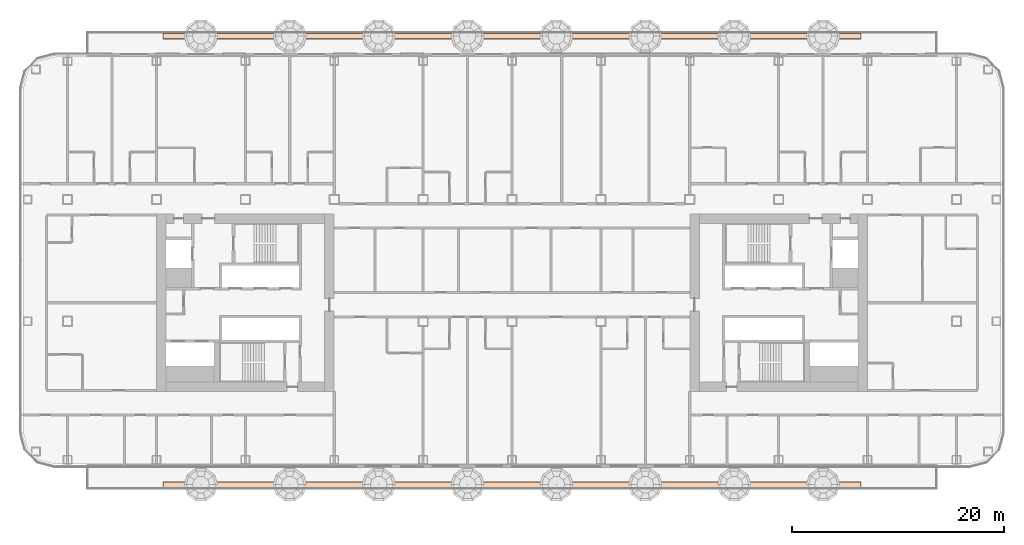
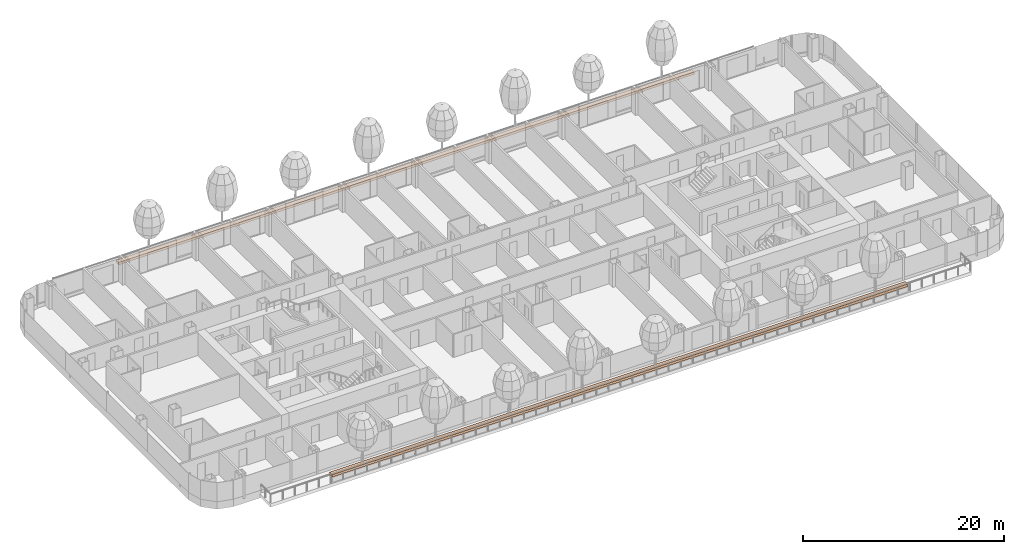
# One storey, part 30 of 33: 2 geographic elements.
"""IFC4 building model written with IfcOpenShell, lengths in metres."""

from ifc_helpers import new_model, si_unit, direction, frame, origin, origin_2d, place, context, subcontext, project, spatial, rectangle, extrude, material, type_object, element, save


model = new_model("IFC4")

# Units and contexts
model_context = context("Model", 3, precision=1e-05, world=origin(), true_north=direction((0.0, 1.0)))
body_context = subcontext(model_context, "Body", "Model", "MODEL_VIEW")
ifc_project = project(units=[si_unit("LENGTHUNIT", "METRE"), si_unit("AREAUNIT", "SQUARE_METRE"), si_unit("VOLUMEUNIT", "CUBIC_METRE"), si_unit("PLANEANGLEUNIT", "RADIAN"), si_unit("MASSUNIT", "GRAM", prefix="KILO")], contexts=[model_context])

# Site, building, storey
site_placement = place(None, origin())
site = spatial("IfcSite", under=ifc_project, at=site_placement, CompositionType="ELEMENT")
building_placement = place(site_placement, origin())
building = spatial("IfcBuilding", under=site, at=building_placement, Name="Hakoniwa Tower and Hamabe Station Hall", CompositionType="ELEMENT")
storey_placement = place(building_placement, frame((0.0, 0.0, 81.800048828125)))
storey = spatial("IfcBuildingStorey", under=building, at=storey_placement, Name="L22", CompositionType="ELEMENT", Elevation=81.800048828125)

# Geographic elements
ifc_material = material(Name="Shrub planting")
geographic_element_type = type_object("IfcGeographicElementType", Name="Shrub planting bed 500x300", PredefinedType="USERDEFINED", material=ifc_material)
for number, where, z_axis, x_axis, name in (
    (1, (0.0, 25.199951171875, 0.60009765625), (0.0, 0.0, 1.0), (1.0, 0.0, 0.0), "Shrub planting bed 500x300"),
    (2, (0.0, -17.199951171875, 0.60009765625), (0.0, 0.0, 1.0), (1.0, 0.0, 0.0), "Shrub planting bed 500x300"),
):
    element("IfcGeographicElement", number, at=place(storey_placement, frame(where, z_axis=z_axis, x_axis=x_axis)), inside=storey, type_object=geographic_element_type, Name=name, ObjectType="PLANTING", PredefinedType="USERDEFINED", context=body_context, shape_type="SweptSolid", body=[
        extrude(rectangle(XDim=66.0, YDim=0.5, at=origin_2d()), origin(), (0.0, 0.0, 1.0), 0.300048828125),
    ])

save(model, "model.ifc")
